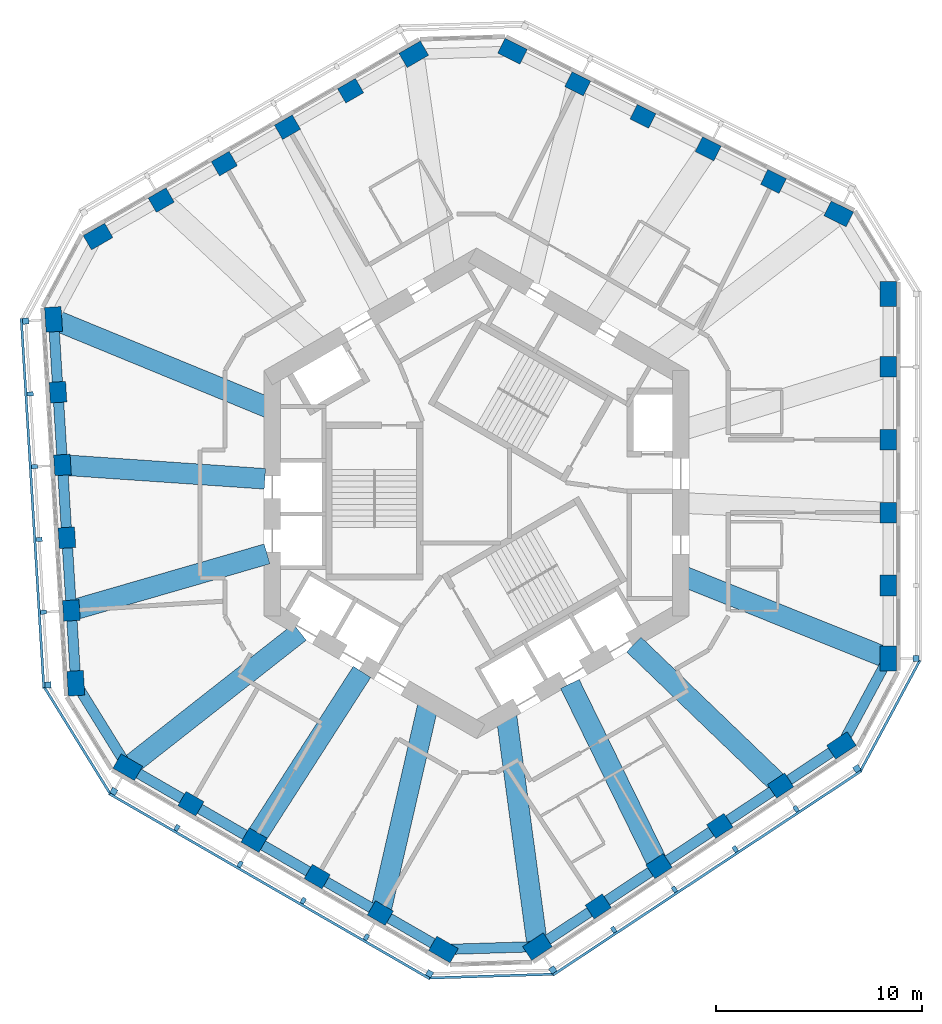
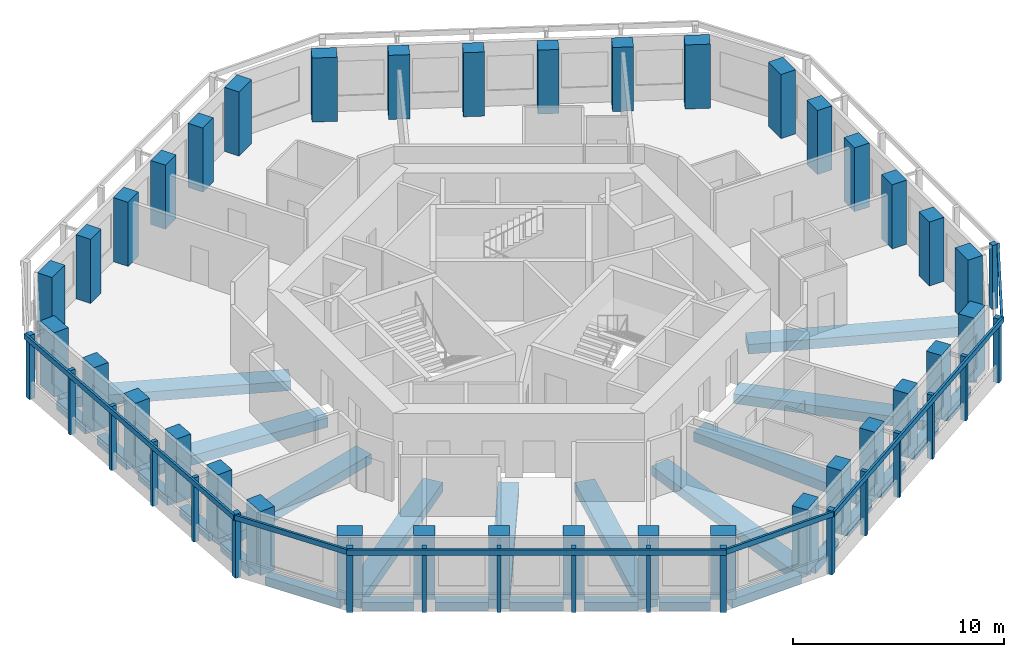
# One storey, part 1 of 11: 36 columns, 28 beams, 25 members, 7 elements without a shape of their own.
"""IFC4 building model written with IfcOpenShell, lengths in metres."""

from ifc_helpers import new_model, si_unit, direction, frame, origin, origin_2d, place, context, subcontext, project, spatial, rectangle, extrude, material, material_profile, profile_set, type_object, element, aggregate, save


model = new_model("IFC4")

# Units and contexts
model_context = context("Model", 3, precision=1e-05, world=origin(), true_north=direction((0.0, 1.0)))
body_context = subcontext(model_context, "Body", "Model", "MODEL_VIEW")
ifc_project = project(units=[si_unit("LENGTHUNIT", "METRE"), si_unit("AREAUNIT", "SQUARE_METRE"), si_unit("VOLUMEUNIT", "CUBIC_METRE"), si_unit("PLANEANGLEUNIT", "RADIAN"), si_unit("MASSUNIT", "GRAM", prefix="KILO")], contexts=[model_context])

# Site, building, storey
site_placement = place(None, origin())
site = spatial("IfcSite", under=ifc_project, at=site_placement, CompositionType="ELEMENT")
building_placement = place(site_placement, origin())
building = spatial("IfcBuilding", under=site, at=building_placement, Name="Vanh Sen Convention Tower", CompositionType="ELEMENT")
storey_placement = place(building_placement, frame((0.0, 0.0, 225.39990234375)))
storey = spatial("IfcBuildingStorey", under=building, at=storey_placement, Name="L55", CompositionType="ELEMENT", Elevation=225.39990234375)

# Columns
ifc_material_1 = material(Name="Concrete C60/75", Category="concrete")
ifc_material_profile_1 = material_profile(ifc_material_1, rectangle(XDim=1.0, YDim=0.800048828125, at=origin_2d()), Name="RC 1000X800")
ifc_profile_set_1 = profile_set([ifc_material_profile_1], Name="Concrete C60/75")
column_type_1 = type_object("IfcColumnType", Name="Facade column 1000 x 800 C60/75", PredefinedType="COLUMN", material=ifc_profile_set_1)
for number, where, z_axis, x_axis, name in (
    (1, (19.949951171875, -4.46923828125, 0.0), (0.0, 0.0, 1.0), (0.0, 1.0, 0.0), "Facade column 02 L55"),
    (2, (19.949951171875, -0.935546875, 0.0), (0.0, 0.0, 1.0), (0.0, 1.0, 0.0), "Facade column 03 L55"),
    (3, (19.949951171875, 2.59814453125, 0.0), (0.0, 0.0, 1.0), (0.0, 1.0, 0.0), "Facade column 04 L55"),
    (4, (19.949951171875, 6.131591796875, 0.0), (0.0, 0.0, 1.0), (0.0, 1.0, 0.0), "Facade column 05 L55"),
    (5, (14.38916015625, 15.117919921875, 0.0), (0.0, 0.0, 1.0), (-0.894934361602, 0.44619781311, 0.0), "Facade column 08 L55"),
    (6, (11.226806640625, 16.694580078125, 0.0), (0.0, 0.0, 1.0), (-0.894934361602, 0.44619781311, 0.0), "Facade column 09 L55"),
    (7, (8.064453125, 18.271484375, 0.0), (0.0, 0.0, 1.0), (-0.894934361602, 0.44619781311, 0.0), "Facade column 10 L55"),
    (8, (4.902099609375, 19.84814453125, 0.0), (0.0, 0.0, 1.0), (-0.894934361602, 0.44619781311, 0.0), "Facade column 11 L55"),
    (9, (-6.1044921875, 19.51171875, 0.0), (0.0, 0.0, 1.0), (-0.866025403784, -0.5, 0.0), "Facade column 14 L55"),
    (10, (-9.164794921875, 17.7451171875, 0.0), (0.0, 0.0, 1.0), (-0.866025403784, -0.5, 0.0), "Facade column 15 L55"),
    (11, (-12.22509765625, 15.978271484375, 0.0), (0.0, 0.0, 1.0), (-0.866025403784, -0.5, 0.0), "Facade column 16 L55"),
    (12, (-15.28515625, 14.211181640625, 0.0), (0.0, 0.0, 1.0), (-0.866025403784, -0.5, 0.0), "Facade column 17 L55"),
    (13, (-20.287109375, 4.90234375, 0.0), (0.0, 0.0, 1.0), (0.061048539535, -0.998134798422, 0.0), "Facade column 20 L55"),
    (14, (-20.0712890625, 1.375244140625, 0.0), (0.0, 0.0, 1.0), (0.061048539535, -0.998134798422, 0.0), "Facade column 21 L55"),
    (15, (-19.855712890625, -2.151611328125, 0.0), (0.0, 0.0, 1.0), (0.061048539535, -0.998134798422, 0.0), "Facade column 22 L55"),
    (16, (-19.639892578125, -5.6787109375, 0.0), (0.0, 0.0, 1.0), (0.061048539535, -0.998134798422, 0.0), "Facade column 23 L55"),
    (17, (-13.845458984375, -15.04248046875, 0.0), (0.0, 0.0, 1.0), (0.866025403784, -0.5, 0.0), "Facade column 26 L55"),
    (18, (-10.78515625, -16.809326171875, 0.0), (0.0, 0.0, 1.0), (0.866025403784, -0.5, 0.0), "Facade column 27 L55"),
    (19, (-7.72509765625, -18.576416015625, 0.0), (0.0, 0.0, 1.0), (0.866025403784, -0.5, 0.0), "Facade column 28 L55"),
    (20, (-4.664794921875, -20.343017578125, 0.0), (0.0, 0.0, 1.0), (0.866025403784, -0.5, 0.0), "Facade column 29 L55"),
    (21, (5.89794921875, -20.0205078125, 0.0), (0.0, 0.0, 1.0), (0.833885822067, 0.551936985312, 0.0), "Facade column 32 L55"),
    (22, (8.844482421875, -18.070068359375, 0.0), (0.0, 0.0, 1.0), (0.833885822067, 0.551936985312, 0.0), "Facade column 33 L55"),
    (23, (11.791259765625, -16.11962890625, 0.0), (0.0, 0.0, 1.0), (0.833885822067, 0.551936985312, 0.0), "Facade column 34 L55"),
    (24, (14.73779296875, -14.169189453125, 0.0), (0.0, 0.0, 1.0), (0.833885822067, 0.551936985312, 0.0), "Facade column 35 L55"),
):
    element("IfcColumn", number, at=place(storey_placement, frame(where, z_axis=z_axis, x_axis=x_axis)), inside=storey, type_object=column_type_1, Name=name, PredefinedType="COLUMN", context=body_context, shape_type="SweptSolid", body=[
        extrude(rectangle(XDim=1.0, YDim=0.800048828125, at=origin_2d()), origin(), (0.0, 0.0, 1.0), 3.7001953125),
    ])
ifc_material_profile_2 = material_profile(ifc_material_1, rectangle(XDim=1.199951171875, YDim=0.800048828125, at=origin_2d()), Name="RC 1200X800")
ifc_profile_set_2 = profile_set([ifc_material_profile_2], Name="Concrete C60/75")
column_type_2 = type_object("IfcColumnType", Name="Facade corner column 1200 x 800 C60/75", PredefinedType="COLUMN", material=ifc_profile_set_2)
for number, where, z_axis, x_axis, name in (
    (25, (19.949951171875, -8.002685546875, 0.0), (0.0, 0.0, 1.0), (0.0, 1.0, 0.0), "Facade column 01 L55"),
    (26, (19.949951171875, 9.665283203125, 0.0), (0.0, 0.0, 1.0), (0.0, 1.0, 0.0), "Facade column 06 L55"),
    (27, (17.551513671875, 13.541259765625, 0.0), (0.0, 0.0, 1.0), (-0.894934361602, 0.44619781311, 0.0), "Facade column 07 L55"),
    (28, (1.73974609375, 21.4248046875, 0.0), (0.0, 0.0, 1.0), (-0.894934361602, 0.44619781311, 0.0), "Facade column 12 L55"),
    (29, (-3.04443359375, 21.278564453125, 0.0), (0.0, 0.0, 1.0), (-0.866025403784, -0.5, 0.0), "Facade column 13 L55"),
    (30, (-18.345458984375, 12.444580078125, 0.0), (0.0, 0.0, 1.0), (-0.866025403784, -0.5, 0.0), "Facade column 18 L55"),
    (31, (-20.502685546875, 8.429443359375, 0.0), (0.0, 0.0, 1.0), (0.061048539535, -0.998134798422, 0.0), "Facade column 19 L55"),
    (32, (-19.42431640625, -9.205810546875, 0.0), (0.0, 0.0, 1.0), (0.061048539535, -0.998134798422, 0.0), "Facade column 24 L55"),
    (33, (-16.905517578125, -13.27587890625, 0.0), (0.0, 0.0, 1.0), (0.866025403784, -0.5, 0.0), "Facade column 25 L55"),
    (34, (-1.6044921875, -22.10986328125, 0.0), (0.0, 0.0, 1.0), (0.866025403784, -0.5, 0.0), "Facade column 30 L55"),
    (35, (2.951416015625, -21.970703125, 0.0), (0.0, 0.0, 1.0), (0.833885822067, 0.551936985312, 0.0), "Facade column 31 L55"),
    (36, (17.6845703125, -12.218994140625, 0.0), (0.0, 0.0, 1.0), (0.833885822067, 0.551936985312, 0.0), "Facade column 36 L55"),
):
    element("IfcColumn", number, at=place(storey_placement, frame(where, z_axis=z_axis, x_axis=x_axis)), inside=storey, type_object=column_type_2, Name=name, PredefinedType="COLUMN", context=body_context, shape_type="SweptSolid", body=[
        extrude(rectangle(XDim=1.199951171875, YDim=0.800048828125, at=origin_2d()), origin(), (0.0, 0.0, 1.0), 3.7001953125),
    ])

# Curtain wall, member
ifc_material_2 = material(Name="Concrete C50/60", Category="concrete")
curtain_wall_type = type_object("IfcCurtainWallType", Name="Outer skin office zone", PredefinedType="NOTDEFINED", material=ifc_material_2)
curtain_wall_1_placement = place(storey_placement, origin())
curtain_wall_1 = element("IfcCurtainWall", 37, at=curtain_wall_1_placement, inside=storey, type_object=curtain_wall_type, Name="OUTER SKIN E L55", PredefinedType="NOTDEFINED")
ifc_material_profile_3 = material_profile(ifc_material_2, rectangle(XDim=0.300048828125, YDim=0.300048828125, at=origin_2d()), Name="Outer skin precast corner fin 300 x 300")
ifc_profile_set_3 = profile_set([ifc_material_profile_3], Name="Concrete C50/60")
member_type_1 = type_object("IfcMemberType", Name="Outer skin precast corner fin 300 x 300", PredefinedType="MULLION", material=ifc_profile_set_3)
member_1_placement = place(storey_placement, frame((21.300048828125, -8.002685546875, 0.0), z_axis=(0.0, 0.0, 1.0), x_axis=(0.0, 1.0, 0.0)))
member_1 = element("IfcMember", 38, at=member_1_placement, type_object=member_type_1, Name="OUTER SKIN CORNER FIN 1 E L55", PredefinedType="MULLION", context=body_context, shape_type="SweptSolid", body=[
    extrude(rectangle(XDim=0.300048828125, YDim=0.300048828125, at=origin_2d()), origin(), (0.0, 0.0, 1.0), 3.7001953125),
])
aggregate(curtain_wall_1, [member_1])

# Curtain wall, members
curtain_wall_2_placement = place(storey_placement, origin())
curtain_wall_2 = element("IfcCurtainWall", 39, at=curtain_wall_2_placement, inside=storey, type_object=curtain_wall_type, Name="OUTER SKIN W L55", PredefinedType="NOTDEFINED")
member_2_placement = place(storey_placement, frame((-21.850341796875, 8.346923828125, 0.0), z_axis=(0.0, 0.0, 1.0), x_axis=(0.061048539535, -0.998134798422, 0.0)))
member_2 = element("IfcMember", 40, at=member_2_placement, type_object=member_type_1, Name="OUTER SKIN CORNER FIN 1 W L55", PredefinedType="MULLION", context=body_context, shape_type="SweptSolid", body=[
    extrude(rectangle(XDim=0.300048828125, YDim=0.300048828125, at=origin_2d()), origin(), (0.0, 0.0, 1.0), 3.7001953125),
])
member_3_placement = place(storey_placement, frame((-20.771728515625, -9.2880859375, 0.0), z_axis=(0.0, 0.0, 1.0), x_axis=(0.061048539535, -0.998134798422, 0.0)))
member_3 = element("IfcMember", 41, at=member_3_placement, type_object=member_type_1, Name="OUTER SKIN CORNER FIN 6 W L55", PredefinedType="MULLION", context=body_context, shape_type="SweptSolid", body=[
    extrude(rectangle(XDim=0.300048828125, YDim=0.300048828125, at=origin_2d()), origin(), (0.0, 0.0, 1.0), 3.7001953125),
])

curtain_wall_3_placement = place(storey_placement, origin())
curtain_wall_3 = element("IfcCurtainWall", 42, at=curtain_wall_3_placement, inside=storey, type_object=curtain_wall_type, Name="OUTER SKIN SW L55", PredefinedType="NOTDEFINED")
member_4_placement = place(storey_placement, frame((-17.58056640625, -14.44482421875, 0.0), z_axis=(0.0, 0.0, 1.0), x_axis=(0.866025403784, -0.5, 0.0)))
member_4 = element("IfcMember", 43, at=member_4_placement, type_object=member_type_1, Name="OUTER SKIN CORNER FIN 1 SW L55", PredefinedType="MULLION", context=body_context, shape_type="SweptSolid", body=[
    extrude(rectangle(XDim=0.300048828125, YDim=0.300048828125, at=origin_2d()), origin(), (0.0, 0.0, 1.0), 3.7001953125),
])
member_5_placement = place(storey_placement, frame((-2.279541015625, -23.279052734375, 0.0), z_axis=(0.0, 0.0, 1.0), x_axis=(0.866025403784, -0.5, 0.0)))
member_5 = element("IfcMember", 44, at=member_5_placement, type_object=member_type_1, Name="OUTER SKIN CORNER FIN 6 SW L55", PredefinedType="MULLION", context=body_context, shape_type="SweptSolid", body=[
    extrude(rectangle(XDim=0.300048828125, YDim=0.300048828125, at=origin_2d()), origin(), (0.0, 0.0, 1.0), 3.7001953125),
])

curtain_wall_4_placement = place(storey_placement, origin())
curtain_wall_4 = element("IfcCurtainWall", 45, at=curtain_wall_4_placement, inside=storey, type_object=curtain_wall_type, Name="OUTER SKIN SE L55", PredefinedType="NOTDEFINED")
member_6_placement = place(storey_placement, frame((3.6962890625, -23.096435546875, 0.0), z_axis=(0.0, 0.0, 1.0), x_axis=(0.833885822067, 0.551936985312, 0.0)))
member_6 = element("IfcMember", 46, at=member_6_placement, type_object=member_type_1, Name="OUTER SKIN CORNER FIN 1 SE L55", PredefinedType="MULLION", context=body_context, shape_type="SweptSolid", body=[
    extrude(rectangle(XDim=0.300048828125, YDim=0.300048828125, at=origin_2d()), origin(), (0.0, 0.0, 1.0), 3.7001953125),
])
member_7_placement = place(storey_placement, frame((18.4296875, -13.3447265625, 0.0), z_axis=(0.0, 0.0, 1.0), x_axis=(0.833885822067, 0.551936985312, 0.0)))
member_7 = element("IfcMember", 47, at=member_7_placement, type_object=member_type_1, Name="OUTER SKIN CORNER FIN 6 SE L55", PredefinedType="MULLION", context=body_context, shape_type="SweptSolid", body=[
    extrude(rectangle(XDim=0.300048828125, YDim=0.300048828125, at=origin_2d()), origin(), (0.0, 0.0, 1.0), 3.7001953125),
])

# Member
ifc_material_profile_4 = material_profile(ifc_material_2, rectangle(XDim=0.199951171875, YDim=0.300048828125, at=origin_2d()), Name="Outer skin precast fin 200 x 300")
ifc_profile_set_4 = profile_set([ifc_material_profile_4], Name="Concrete C50/60")
member_type_2 = type_object("IfcMemberType", Name="Outer skin precast fin 200 x 300", PredefinedType="MULLION", material=ifc_profile_set_4)
member_8_placement = place(storey_placement, frame((-21.634521484375, 4.820068359375, 0.0), z_axis=(0.0, 0.0, 1.0), x_axis=(0.061048539535, -0.998134798422, 0.0)))
member_8 = element("IfcMember", 48, at=member_8_placement, type_object=member_type_2, Name="OUTER SKIN fin 2 W L55", PredefinedType="MULLION", context=body_context, shape_type="SweptSolid", body=[
    extrude(rectangle(XDim=0.199951171875, YDim=0.300048828125, at=origin_2d()), origin(), (0.0, 0.0, 1.0), 3.7001953125),
])

member_9_placement = place(storey_placement, frame((-21.4189453125, 1.29296875, 0.0), z_axis=(0.0, 0.0, 1.0), x_axis=(0.061048539535, -0.998134798422, 0.0)))
member_9 = element("IfcMember", 49, at=member_9_placement, type_object=member_type_2, Name="OUTER SKIN fin 3 W L55", PredefinedType="MULLION", context=body_context, shape_type="SweptSolid", body=[
    extrude(rectangle(XDim=0.199951171875, YDim=0.300048828125, at=origin_2d()), origin(), (0.0, 0.0, 1.0), 3.7001953125),
])

member_10_placement = place(storey_placement, frame((-21.203125, -2.234130859375, 0.0), z_axis=(0.0, 0.0, 1.0), x_axis=(0.061048539535, -0.998134798422, 0.0)))
member_10 = element("IfcMember", 50, at=member_10_placement, type_object=member_type_2, Name="OUTER SKIN fin 4 W L55", PredefinedType="MULLION", context=body_context, shape_type="SweptSolid", body=[
    extrude(rectangle(XDim=0.199951171875, YDim=0.300048828125, at=origin_2d()), origin(), (0.0, 0.0, 1.0), 3.7001953125),
])

member_11_placement = place(storey_placement, frame((-20.987548828125, -5.760986328125, 0.0), z_axis=(0.0, 0.0, 1.0), x_axis=(0.061048539535, -0.998134798422, 0.0)))
member_11 = element("IfcMember", 51, at=member_11_placement, type_object=member_type_2, Name="OUTER SKIN fin 5 W L55", PredefinedType="MULLION", context=body_context, shape_type="SweptSolid", body=[
    extrude(rectangle(XDim=0.199951171875, YDim=0.300048828125, at=origin_2d()), origin(), (0.0, 0.0, 1.0), 3.7001953125),
])

member_12_placement = place(storey_placement, frame((-14.5205078125, -16.211669921875, 0.0), z_axis=(0.0, 0.0, 1.0), x_axis=(0.866025403784, -0.5, 0.0)))
member_12 = element("IfcMember", 52, at=member_12_placement, type_object=member_type_2, Name="OUTER SKIN fin 2 SW L55", PredefinedType="MULLION", context=body_context, shape_type="SweptSolid", body=[
    extrude(rectangle(XDim=0.199951171875, YDim=0.300048828125, at=origin_2d()), origin(), (0.0, 0.0, 1.0), 3.7001953125),
])

member_13_placement = place(storey_placement, frame((-11.460205078125, -17.978515625, 0.0), z_axis=(0.0, 0.0, 1.0), x_axis=(0.866025403784, -0.5, 0.0)))
member_13 = element("IfcMember", 53, at=member_13_placement, type_object=member_type_2, Name="OUTER SKIN fin 3 SW L55", PredefinedType="MULLION", context=body_context, shape_type="SweptSolid", body=[
    extrude(rectangle(XDim=0.199951171875, YDim=0.300048828125, at=origin_2d()), origin(), (0.0, 0.0, 1.0), 3.7001953125),
])

member_14_placement = place(storey_placement, frame((-8.39990234375, -19.745361328125, 0.0), z_axis=(0.0, 0.0, 1.0), x_axis=(0.866025403784, -0.5, 0.0)))
member_14 = element("IfcMember", 54, at=member_14_placement, type_object=member_type_2, Name="OUTER SKIN fin 4 SW L55", PredefinedType="MULLION", context=body_context, shape_type="SweptSolid", body=[
    extrude(rectangle(XDim=0.199951171875, YDim=0.300048828125, at=origin_2d()), origin(), (0.0, 0.0, 1.0), 3.7001953125),
])

member_15_placement = place(storey_placement, frame((-5.33984375, -21.51220703125, 0.0), z_axis=(0.0, 0.0, 1.0), x_axis=(0.866025403784, -0.5, 0.0)))
member_15 = element("IfcMember", 55, at=member_15_placement, type_object=member_type_2, Name="OUTER SKIN fin 5 SW L55", PredefinedType="MULLION", context=body_context, shape_type="SweptSolid", body=[
    extrude(rectangle(XDim=0.199951171875, YDim=0.300048828125, at=origin_2d()), origin(), (0.0, 0.0, 1.0), 3.7001953125),
])

member_16_placement = place(storey_placement, frame((6.64306640625, -21.14599609375, 0.0), z_axis=(0.0, 0.0, 1.0), x_axis=(0.833885822067, 0.551936985312, 0.0)))
member_16 = element("IfcMember", 56, at=member_16_placement, type_object=member_type_2, Name="OUTER SKIN fin 2 SE L55", PredefinedType="MULLION", context=body_context, shape_type="SweptSolid", body=[
    extrude(rectangle(XDim=0.199951171875, YDim=0.300048828125, at=origin_2d()), origin(), (0.0, 0.0, 1.0), 3.7001953125),
])

member_17_placement = place(storey_placement, frame((9.589599609375, -19.19580078125, 0.0), z_axis=(0.0, 0.0, 1.0), x_axis=(0.833885822067, 0.551936985312, 0.0)))
member_17 = element("IfcMember", 57, at=member_17_placement, type_object=member_type_2, Name="OUTER SKIN fin 3 SE L55", PredefinedType="MULLION", context=body_context, shape_type="SweptSolid", body=[
    extrude(rectangle(XDim=0.199951171875, YDim=0.300048828125, at=origin_2d()), origin(), (0.0, 0.0, 1.0), 3.7001953125),
])

member_18_placement = place(storey_placement, frame((12.536376953125, -17.245361328125, 0.0), z_axis=(0.0, 0.0, 1.0), x_axis=(0.833885822067, 0.551936985312, 0.0)))
member_18 = element("IfcMember", 58, at=member_18_placement, type_object=member_type_2, Name="OUTER SKIN fin 4 SE L55", PredefinedType="MULLION", context=body_context, shape_type="SweptSolid", body=[
    extrude(rectangle(XDim=0.199951171875, YDim=0.300048828125, at=origin_2d()), origin(), (0.0, 0.0, 1.0), 3.7001953125),
])

member_19_placement = place(storey_placement, frame((15.48291015625, -15.294921875, 0.0), z_axis=(0.0, 0.0, 1.0), x_axis=(0.833885822067, 0.551936985312, 0.0)))
member_19 = element("IfcMember", 59, at=member_19_placement, type_object=member_type_2, Name="OUTER SKIN fin 5 SE L55", PredefinedType="MULLION", context=body_context, shape_type="SweptSolid", body=[
    extrude(rectangle(XDim=0.199951171875, YDim=0.300048828125, at=origin_2d()), origin(), (0.0, 0.0, 1.0), 3.7001953125),
])

ifc_material_profile_5 = material_profile(ifc_material_2, rectangle(XDim=0.1201171875, YDim=0.300048828125, at=origin_2d()), Name="Outer skin precast spandrel band 300 x 120")
ifc_profile_set_5 = profile_set([ifc_material_profile_5], Name="Concrete C50/60")
member_type_3 = type_object("IfcMemberType", Name="Outer skin precast spandrel band 300 x 120", PredefinedType="USERDEFINED", material=ifc_profile_set_5)
member_20_placement = place(storey_placement, frame((-22.069091796875, 8.48388671875, 3.550048828125), z_axis=(0.061048457282, -0.998134803453, 0.0), x_axis=(0.998134803453, 0.061048457282, 0.0)))
member_20 = element("IfcMember", 60, at=member_20_placement, type_object=member_type_3, Name="OUTER SKIN spandrel band W L55", ObjectType="TRANSOM", PredefinedType="USERDEFINED", context=body_context, shape_type="SweptSolid", body=[
    extrude(rectangle(XDim=0.1201171875, YDim=0.300048828125, at=origin_2d()), origin(), (0.0, 0.0, 1.0), 17.968017578125),
])

aggregate(curtain_wall_2, [member_2, member_8, member_9, member_10, member_11, member_3, member_20])

# Curtain wall, member
curtain_wall_5_placement = place(storey_placement, origin())
curtain_wall_5 = element("IfcCurtainWall", 61, at=curtain_wall_5_placement, inside=storey, type_object=curtain_wall_type, Name="OUTER SKIN CH4 L55", PredefinedType="NOTDEFINED")
member_21_placement = place(storey_placement, frame((-20.9501953125, -9.398681640625, 3.550048828125), z_axis=(0.526193830542, -0.850364658661, 0.0), x_axis=(0.850364658661, 0.526193830542, 0.0)))
member_21 = element("IfcMember", 62, at=member_21_placement, type_object=member_type_3, Name="OUTER SKIN spandrel band CH4 L55", ObjectType="TRANSOM", PredefinedType="USERDEFINED", context=body_context, shape_type="SweptSolid", body=[
    extrude(rectangle(XDim=0.1201171875, YDim=0.300048828125, at=origin_2d()), origin(), (0.0, 0.0, 1.0), 6.064208984375),
])
aggregate(curtain_wall_5, [member_21])

# Member
member_22_placement = place(storey_placement, frame((-17.8154296875, -14.5517578125, 3.550048828125), z_axis=(0.866022898019, -0.500004340088, 0.0), x_axis=(0.500004340088, 0.866022898019, 0.0)))
member_22 = element("IfcMember", 63, at=member_22_placement, type_object=member_type_3, Name="OUTER SKIN spandrel band SW L55", ObjectType="TRANSOM", PredefinedType="USERDEFINED", context=body_context, shape_type="SweptSolid", body=[
    extrude(rectangle(XDim=0.1201171875, YDim=0.300048828125, at=origin_2d()), origin(), (0.0, 0.0, 1.0), 17.968017578125),
])

aggregate(curtain_wall_3, [member_4, member_12, member_13, member_14, member_15, member_5, member_22])

# Curtain wall, member
curtain_wall_6_placement = place(storey_placement, origin())
curtain_wall_6 = element("IfcCurtainWall", 64, at=curtain_wall_6_placement, inside=storey, type_object=curtain_wall_type, Name="OUTER SKIN CH5 L55", PredefinedType="NOTDEFINED")
member_23_placement = place(storey_placement, frame((-2.273193359375, -23.489013671875, 3.550048828125), z_axis=(0.99953342946, 0.030543794642, 0.0), x_axis=(-0.030543794642, 0.99953342946, 0.0)))
member_23 = element("IfcMember", 65, at=member_23_placement, type_object=member_type_3, Name="OUTER SKIN spandrel band CH5 L55", ObjectType="TRANSOM", PredefinedType="USERDEFINED", context=body_context, shape_type="SweptSolid", body=[
    extrude(rectangle(XDim=0.1201171875, YDim=0.300048828125, at=origin_2d()), origin(), (0.0, 0.0, 1.0), 5.978759765625),
])
aggregate(curtain_wall_6, [member_23])

# Member
member_24_placement = place(storey_placement, frame((3.687255859375, -23.3544921875, 3.550048828125), z_axis=(0.83388107344, 0.551944159638, 0.0), x_axis=(-0.551944159638, 0.83388107344, 0.0)))
member_24 = element("IfcMember", 66, at=member_24_placement, type_object=member_type_3, Name="OUTER SKIN spandrel band SE L55", ObjectType="TRANSOM", PredefinedType="USERDEFINED", context=body_context, shape_type="SweptSolid", body=[
    extrude(rectangle(XDim=0.1201171875, YDim=0.300048828125, at=origin_2d()), origin(), (0.0, 0.0, 1.0), 17.96826171875),
])

aggregate(curtain_wall_4, [member_6, member_16, member_17, member_18, member_19, member_7, member_24])

# Curtain wall, member
curtain_wall_7_placement = place(storey_placement, origin())
curtain_wall_7 = element("IfcCurtainWall", 67, at=curtain_wall_7_placement, inside=storey, type_object=curtain_wall_type, Name="OUTER SKIN CH6 L55", PredefinedType="NOTDEFINED")
member_25_placement = place(storey_placement, frame((18.61474609375, -13.444091796875, 3.550048828125), z_axis=(0.473333785199, 0.880883152177, 0.0), x_axis=(-0.880883152177, 0.473333785199, 0.0)))
member_25 = element("IfcMember", 68, at=member_25_placement, type_object=member_type_3, Name="OUTER SKIN spandrel band CH6 L55", ObjectType="TRANSOM", PredefinedType="USERDEFINED", context=body_context, shape_type="SweptSolid", body=[
    extrude(rectangle(XDim=0.1201171875, YDim=0.300048828125, at=origin_2d()), origin(), (0.0, 0.0, 1.0), 6.064208984375),
])
aggregate(curtain_wall_7, [member_25])

# Beams
ifc_material_3 = material(Name="Concrete C50/60", Category="concrete")
ifc_material_profile_6 = material_profile(ifc_material_3, rectangle(XDim=1.0, YDim=0.550048828125, at=origin_2d()), Name="RC 1000X550")
ifc_profile_set_6 = profile_set([ifc_material_profile_6], Name="Concrete C50/60")
beam_type_1 = type_object("IfcBeamType", Name="Radial floor beam 1000 x 550", PredefinedType="BEAM", material=ifc_profile_set_6)
beam_1_placement = place(storey_placement, frame((19.74072265625, -7.9189453125, -0.554931640625), z_axis=(-0.92810631139, 0.372315289449, 0.0), x_axis=(-0.372315289449, -0.92810631139, 0.0)))
element("IfcBeam", 69, at=beam_1_placement, inside=storey, type_object=beam_type_1, Name="Radial beam 01 L55", PredefinedType="BEAM", context=body_context, shape_type="SweptSolid", body=[
    extrude(rectangle(XDim=1.0, YDim=0.550048828125, at=origin_2d()), origin(), (0.0, 0.0, 1.0), 10.377685546875),
])
beam_2_placement = place(storey_placement, frame((-20.3203125, 8.3544921875, -0.554931640625), z_axis=(0.924877566589, -0.380265021821, 0.0), x_axis=(0.380265021821, 0.924877566589, 0.0)))
element("IfcBeam", 70, at=beam_2_placement, inside=storey, type_object=beam_type_1, Name="Radial beam 10 L55", PredefinedType="BEAM", context=body_context, shape_type="SweptSolid", body=[
    extrude(rectangle(XDim=1.0, YDim=0.550048828125, at=origin_2d()), origin(), (0.0, 0.0, 1.0), 11.044921875),
])
beam_3_placement = place(storey_placement, frame((-20.044189453125, 1.373291015625, -0.554931640625), z_axis=(0.99766210015, -0.068339841412, 0.0), x_axis=(0.068339841412, 0.99766210015, 0.0)))
element("IfcBeam", 71, at=beam_3_placement, inside=storey, type_object=beam_type_1, Name="Radial beam 11 L55", PredefinedType="BEAM", context=body_context, shape_type="SweptSolid", body=[
    extrude(rectangle(XDim=1.0, YDim=0.550048828125, at=origin_2d()), origin(), (0.0, 0.0, 1.0), 9.806396484375),
])
beam_4_placement = place(storey_placement, frame((-19.591796875, -5.664794921875, -0.554931640625), z_axis=(0.960647732033, 0.277769571659, 0.0), x_axis=(-0.277769571659, 0.960647732033, 0.0)))
element("IfcBeam", 72, at=beam_4_placement, inside=storey, type_object=beam_type_1, Name="Radial beam 12 L55", PredefinedType="BEAM", context=body_context, shape_type="SweptSolid", body=[
    extrude(rectangle(XDim=1.0, YDim=0.550048828125, at=origin_2d()), origin(), (0.0, 0.0, 1.0), 9.822021484375),
])
beam_5_placement = place(storey_placement, frame((-16.728271484375, -13.13671875, -0.554931640625), z_axis=(0.786480763705, 0.6176147734, 0.0), x_axis=(-0.6176147734, 0.786480763705, 0.0)))
element("IfcBeam", 73, at=beam_5_placement, inside=storey, type_object=beam_type_1, Name="Radial beam 13 L55", PredefinedType="BEAM", context=body_context, shape_type="SweptSolid", body=[
    extrude(rectangle(XDim=1.0, YDim=0.550048828125, at=origin_2d()), origin(), (0.0, 0.0, 1.0), 10.377685546875),
])
beam_6_placement = place(storey_placement, frame((-10.78173828125, -16.803955078125, -0.554931640625), z_axis=(0.540015696962, 0.841654945351, 0.0), x_axis=(-0.841654945351, 0.540015696962, 0.0)))
element("IfcBeam", 74, at=beam_6_placement, inside=storey, type_object=beam_type_1, Name="Radial beam 14 L55", PredefinedType="BEAM", context=body_context, shape_type="SweptSolid", body=[
    extrude(rectangle(XDim=1.0, YDim=0.550048828125, at=origin_2d()), origin(), (0.0, 0.0, 1.0), 9.6826171875),
])
beam_7_placement = place(storey_placement, frame((-4.649169921875, -20.27490234375, -0.554931640625), z_axis=(0.223519929805, 0.97469935928, 0.0), x_axis=(-0.97469935928, 0.223519929805, 0.0)))
element("IfcBeam", 75, at=beam_7_placement, inside=storey, type_object=beam_type_1, Name="Radial beam 15 L55", PredefinedType="BEAM", context=body_context, shape_type="SweptSolid", body=[
    extrude(rectangle(XDim=1.0, YDim=0.550048828125, at=origin_2d()), origin(), (0.0, 0.0, 1.0), 10.18408203125),
])
beam_8_placement = place(storey_placement, frame((2.925048828125, -21.775146484375, -0.554931640625), z_axis=(-0.133135191272, 0.991097886611, 0.0), x_axis=(-0.991097886611, -0.133135191272, 0.0)))
element("IfcBeam", 76, at=beam_8_placement, inside=storey, type_object=beam_type_1, Name="Radial beam 16 L55", PredefinedType="BEAM", context=body_context, shape_type="SweptSolid", body=[
    extrude(rectangle(XDim=1.0, YDim=0.550048828125, at=origin_2d()), origin(), (0.0, 0.0, 1.0), 11.044921875),
])
beam_9_placement = place(storey_placement, frame((8.83251953125, -18.04541015625, -0.554931640625), z_axis=(-0.439628935164, 0.898179491731, 0.0), x_axis=(-0.898179491731, -0.439628935164, 0.0)))
element("IfcBeam", 77, at=beam_9_placement, inside=storey, type_object=beam_type_1, Name="Radial beam 17 L55", PredefinedType="BEAM", context=body_context, shape_type="SweptSolid", body=[
    extrude(rectangle(XDim=1.0, YDim=0.550048828125, at=origin_2d()), origin(), (0.0, 0.0, 1.0), 9.80615234375),
])
beam_10_placement = place(storey_placement, frame((14.70166015625, -14.134521484375, -0.554931640625), z_axis=(-0.720877485016, 0.693062516369, 0.0), x_axis=(-0.693062516369, -0.720877485016, 0.0)))
element("IfcBeam", 78, at=beam_10_placement, inside=storey, type_object=beam_type_1, Name="Radial beam 18 L55", PredefinedType="BEAM", context=body_context, shape_type="SweptSolid", body=[
    extrude(rectangle(XDim=1.0, YDim=0.550048828125, at=origin_2d()), origin(), (0.0, 0.0, 1.0), 9.82177734375),
])
ifc_material_profile_7 = material_profile(ifc_material_3, rectangle(XDim=0.5, YDim=0.5, at=origin_2d()), Name="RC 500X500")
ifc_profile_set_7 = profile_set([ifc_material_profile_7], Name="Concrete C50/60")
beam_type_2 = type_object("IfcBeamType", Name="Spandrel beam 500 x 500", PredefinedType="SPANDREL", material=ifc_profile_set_7)
beam_11_placement = place(storey_placement, frame((-20.466552734375, 7.83544921875, -0.52978515625), z_axis=(0.061047088694, -0.998134887158, 0.0), x_axis=(0.998134887158, 0.061047088694, 0.0)))
element("IfcBeam", 79, at=beam_11_placement, inside=storey, type_object=beam_type_2, Name="Spandrel beam 19 L55", PredefinedType="SPANDREL", context=body_context, shape_type="SweptSolid", body=[
    extrude(rectangle(XDim=0.5, YDim=0.5, at=origin_2d()), origin(), (0.0, 0.0, 1.0), 2.443603515625),
])
for number, where, z_axis, x_axis, name in (
    (80, (-20.2568359375, 4.408447265625, -0.52978515625), (0.061039814536, -0.998135332027, 0.0), (0.998135332027, 0.061039814536, 0.0), "Spandrel beam 20 L55"),
    (81, (-20.041259765625, 0.88134765625, -0.52978515625), (0.061039814536, -0.998135332027, 0.0), (0.998135332027, 0.061039814536, 0.0), "Spandrel beam 21 L55"),
    (82, (-19.825439453125, -2.645751953125, -0.52978515625), (0.061039814536, -0.998135332027, 0.0), (0.998135332027, 0.061039814536, 0.0), "Spandrel beam 22 L55"),
):
    element("IfcBeam", number, at=place(storey_placement, frame(where, z_axis=z_axis, x_axis=x_axis)), inside=storey, type_object=beam_type_2, Name=name, PredefinedType="SPANDREL", context=body_context, shape_type="SweptSolid", body=[
        extrude(rectangle(XDim=0.5, YDim=0.5, at=origin_2d()), origin(), (0.0, 0.0, 1.0), 2.543701171875),
    ])
beam_12_placement = place(storey_placement, frame((-19.60986328125, -6.172607421875, -0.52978515625), z_axis=(0.061140531541, -0.998129167695, 0.0), x_axis=(0.998129167695, 0.061140531541, 0.0)))
element("IfcBeam", 83, at=beam_12_placement, inside=storey, type_object=beam_type_2, Name="Spandrel beam 23 L55", PredefinedType="SPANDREL", context=body_context, shape_type="SweptSolid", body=[
    extrude(rectangle(XDim=0.5, YDim=0.5, at=origin_2d()), origin(), (0.0, 0.0, 1.0), 2.44384765625),
])
beam_13_placement = place(storey_placement, frame((-19.22705078125, -9.5244140625, -0.52978515625), z_axis=(0.52623176642, -0.850341183297, 0.0), x_axis=(0.850341183297, 0.52623176642, 0.0)))
element("IfcBeam", 84, at=beam_13_placement, inside=storey, type_object=beam_type_2, Name="Spandrel beam 24 L55", PredefinedType="SPANDREL", context=body_context, shape_type="SweptSolid", body=[
    extrude(rectangle(XDim=0.5, YDim=0.5, at=origin_2d()), origin(), (0.0, 0.0, 1.0), 4.036865234375),
])
beam_14_placement = place(storey_placement, frame((-16.390380859375, -13.5732421875, -0.52978515625), z_axis=(0.866002566612, -0.500039553057, 0.0), x_axis=(0.500039553057, 0.866002566612, 0.0)))
element("IfcBeam", 85, at=beam_14_placement, inside=storey, type_object=beam_type_2, Name="Spandrel beam 25 L55", PredefinedType="SPANDREL", context=body_context, shape_type="SweptSolid", body=[
    extrude(rectangle(XDim=0.5, YDim=0.5, at=origin_2d()), origin(), (0.0, 0.0, 1.0), 2.443603515625),
])
beam_15_placement = place(storey_placement, frame((-13.416748046875, -15.2900390625, -0.52978515625), z_axis=(0.866001775466, -0.500040923216, 0.0), x_axis=(0.500040923216, 0.866001775466, 0.0)))
element("IfcBeam", 86, at=beam_15_placement, inside=storey, type_object=beam_type_2, Name="Spandrel beam 26 L55", PredefinedType="SPANDREL", context=body_context, shape_type="SweptSolid", body=[
    extrude(rectangle(XDim=0.5, YDim=0.5, at=origin_2d()), origin(), (0.0, 0.0, 1.0), 2.543701171875),
])
beam_16_placement = place(storey_placement, frame((-10.3564453125, -17.056884765625, -0.52978515625), z_axis=(0.865977774259, -0.500082487685, 0.0), x_axis=(0.500082487685, 0.865977774259, 0.0)))
element("IfcBeam", 87, at=beam_16_placement, inside=storey, type_object=beam_type_2, Name="Spandrel beam 27 L55", PredefinedType="SPANDREL", context=body_context, shape_type="SweptSolid", body=[
    extrude(rectangle(XDim=0.5, YDim=0.5, at=origin_2d()), origin(), (0.0, 0.0, 1.0), 2.54345703125),
])
beam_17_placement = place(storey_placement, frame((-7.29638671875, -18.82373046875, -0.52978515625), z_axis=(0.866001775466, -0.500040923216, 0.0), x_axis=(0.500040923216, 0.866001775466, 0.0)))
element("IfcBeam", 88, at=beam_17_placement, inside=storey, type_object=beam_type_2, Name="Spandrel beam 28 L55", PredefinedType="SPANDREL", context=body_context, shape_type="SweptSolid", body=[
    extrude(rectangle(XDim=0.5, YDim=0.5, at=origin_2d()), origin(), (0.0, 0.0, 1.0), 2.543701171875),
])
beam_18_placement = place(storey_placement, frame((-4.236083984375, -20.590576171875, -0.52978515625), z_axis=(0.866002566612, -0.500039553057, 0.0), x_axis=(0.500039553057, 0.866002566612, 0.0)))
element("IfcBeam", 89, at=beam_18_placement, inside=storey, type_object=beam_type_2, Name="Spandrel beam 29 L55", PredefinedType="SPANDREL", context=body_context, shape_type="SweptSolid", body=[
    extrude(rectangle(XDim=0.5, YDim=0.5, at=origin_2d()), origin(), (0.0, 0.0, 1.0), 2.443603515625),
])
beam_19_placement = place(storey_placement, frame((-1.25341796875, -22.09912109375, -0.52978515625), z_axis=(0.999534122931, 0.030521092636, 0.0), x_axis=(-0.030521092636, 0.999534122931, 0.0)))
element("IfcBeam", 90, at=beam_19_placement, inside=storey, type_object=beam_type_2, Name="Spandrel beam 30 L55", PredefinedType="SPANDREL", context=body_context, shape_type="SweptSolid", body=[
    extrude(rectangle(XDim=0.5, YDim=0.5, at=origin_2d()), origin(), (0.0, 0.0, 1.0), 3.85546875),
])
beam_20_placement = place(storey_placement, frame((3.447509765625, -21.642333984375, -0.52978515625), z_axis=(0.833890277806, 0.551930253367, 0.0), x_axis=(-0.551930253367, 0.833890277806, 0.0)))
element("IfcBeam", 91, at=beam_20_placement, inside=storey, type_object=beam_type_2, Name="Spandrel beam 31 L55", PredefinedType="SPANDREL", context=body_context, shape_type="SweptSolid", body=[
    extrude(rectangle(XDim=0.5, YDim=0.5, at=origin_2d()), origin(), (0.0, 0.0, 1.0), 2.443603515625),
])
for number, where, z_axis, x_axis, name in (
    (92, (6.310791015625, -19.747314453125, -0.52978515625), (0.833862044683, 0.55197290734, 0.0), (-0.55197290734, 0.833862044683, 0.0), "Spandrel beam 32 L55"),
    (93, (9.25732421875, -17.796875, -0.52978515625), (0.833862044683, 0.55197290734, 0.0), (-0.55197290734, 0.833862044683, 0.0), "Spandrel beam 33 L55"),
    (94, (12.2041015625, -15.846435546875, -0.52978515625), (0.833862044683, 0.55197290734, 0.0), (-0.55197290734, 0.833862044683, 0.0), "Spandrel beam 34 L55"),
):
    element("IfcBeam", number, at=place(storey_placement, frame(where, z_axis=z_axis, x_axis=x_axis)), inside=storey, type_object=beam_type_2, Name=name, PredefinedType="SPANDREL", context=body_context, shape_type="SweptSolid", body=[
        extrude(rectangle(XDim=0.5, YDim=0.5, at=origin_2d()), origin(), (0.0, 0.0, 1.0), 2.543701171875),
    ])
beam_21_placement = place(storey_placement, frame((15.150634765625, -13.89599609375, -0.52978515625), z_axis=(0.833920710798, 0.55188427057, 0.0), x_axis=(-0.55188427057, 0.833920710798, 0.0)))
element("IfcBeam", 95, at=beam_21_placement, inside=storey, type_object=beam_type_2, Name="Spandrel beam 35 L55", PredefinedType="SPANDREL", context=body_context, shape_type="SweptSolid", body=[
    extrude(rectangle(XDim=0.5, YDim=0.5, at=origin_2d()), origin(), (0.0, 0.0, 1.0), 2.443603515625),
])
beam_22_placement = place(storey_placement, frame((17.862060546875, -11.888916015625, -0.52978515625), z_axis=(0.473317001483, 0.880892170534, 0.0), x_axis=(-0.880892170534, 0.473317001483, 0.0)))
element("IfcBeam", 96, at=beam_22_placement, inside=storey, type_object=beam_type_2, Name="Spandrel beam 36 L55", PredefinedType="SPANDREL", context=body_context, shape_type="SweptSolid", body=[
    extrude(rectangle(XDim=0.5, YDim=0.5, at=origin_2d()), origin(), (0.0, 0.0, 1.0), 4.03662109375),
])

save(model, "model.ifc")
